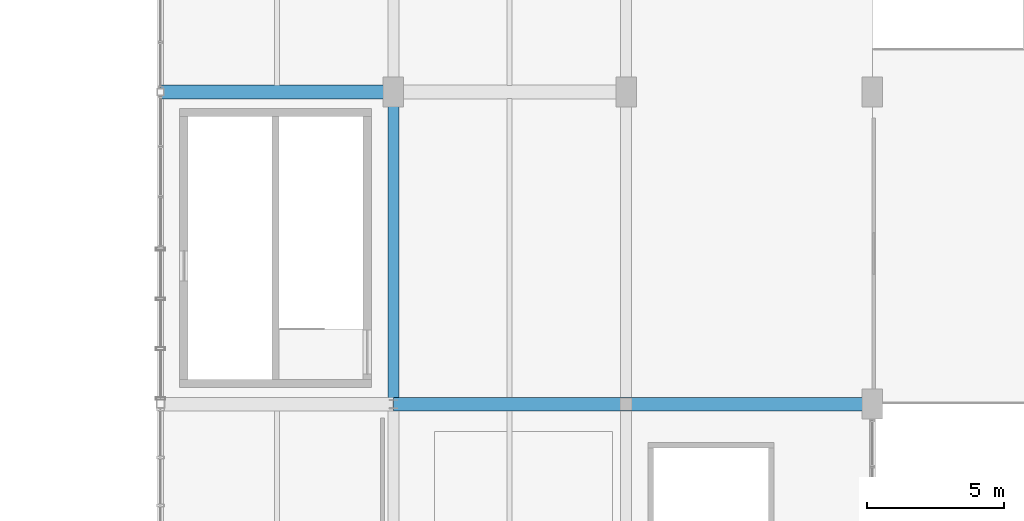
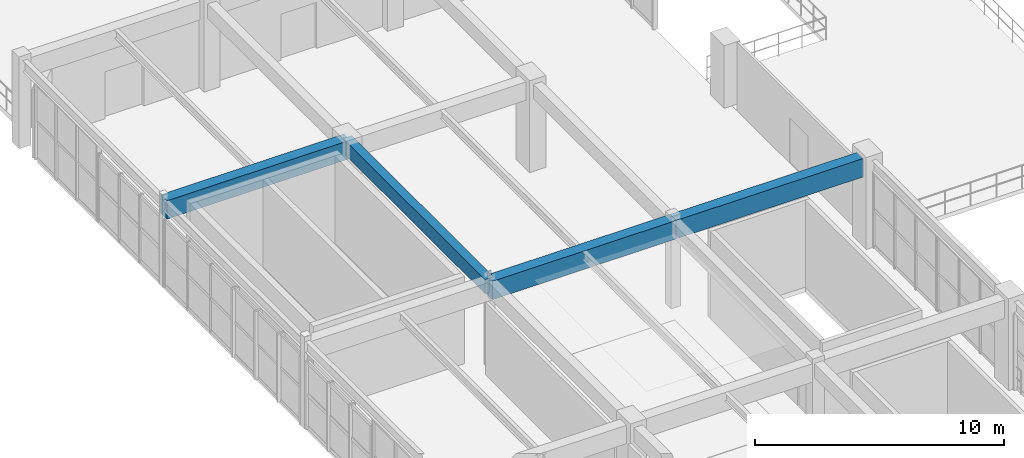
# One storey, part 28 of 80: 4 beams.
"""IFC4 building model written with IfcOpenShell, lengths in metres."""

import ifcopenshell
import ifcopenshell.guid

model = None  # the IFC model being written
_history = None  # IfcOwnerHistory: only IFC2X3 demands one
_inside = {}  # id of a spatial element -> (the spatial element, [elements in it])
_under = {}  # id of a project, library or spatial element -> (it, [spatial elements below it])
_declared = {}  # id of a project -> (the project, [libraries it declares])
_typed = {}  # id of a type object -> (the type object, [elements of that type])
_made_of = {}  # id of a material, layer set ... -> (it, [elements and type objects made of it])


def new_model(schema):
    """Start an empty IFC model of exactly this schema.

    Asked for "IFC4X3", IfcOpenShell would pick the latest addendum, in which some entities
    have other attributes; the version numbers below select the first issue.
    IFC2X3 requires an IfcOwnerHistory on every rooted entity: one is made here for all.
    """
    global model, _history
    if schema == "IFC4X3":
        model = ifcopenshell.file(schema_version=(4, 3, 0, 0))
    else:
        model = ifcopenshell.file(schema=schema)
    _inside.clear()
    _under.clear()
    _declared.clear()
    _typed.clear()
    _made_of.clear()
    _history = None
    if model.schema == "IFC2X3":
        org = make("IfcOrganization", Name="unknown")
        user = make(
            "IfcPersonAndOrganization",
            ThePerson=make("IfcPerson", FamilyName="unknown"),
            TheOrganization=org,
        )
        app = make(
            "IfcApplication",
            ApplicationDeveloper=org,
            Version="unknown",
            ApplicationFullName="unknown",
            ApplicationIdentifier="unknown",
        )
        _history = make(
            "IfcOwnerHistory",
            OwningUser=user,
            OwningApplication=app,
            ChangeAction="ADDED",
            CreationDate=0,
        )
    return model


def make(cls, **values):
    """One entity of the class cls with the attributes given. An attribute that is None is left unset."""
    return model.create_entity(
        cls, **{name: value for name, value in values.items() if value is not None}
    )


def rooted(cls, **values):
    """An entity with a GlobalId (a new one), such as an element, a storey or a relation."""
    return make(cls, GlobalId=ifcopenshell.guid.new(), OwnerHistory=_history, **values)


def si_unit(unit_type, name, prefix=None):
    """IfcSIUnit, for example si_unit("LENGTHUNIT", "METRE", prefix="MILLI")."""
    return make("IfcSIUnit", UnitType=unit_type, Prefix=prefix, Name=name)


def assignment(units):
    """IfcUnitAssignment: the units of a project."""
    return None if units is None else make("IfcUnitAssignment", Units=units)


def point(xyz):
    """IfcCartesianPoint."""
    return None if xyz is None else make("IfcCartesianPoint", Coordinates=xyz)


def direction(xyz):
    """IfcDirection."""
    return None if xyz is None else make("IfcDirection", DirectionRatios=xyz)


def frame(location, z_axis=None, x_axis=None):
    """IfcAxis2Placement3D, a coordinate frame: its origin and axes. An axis left out is left unset."""
    return make(
        "IfcAxis2Placement3D",
        Location=point(location),
        Axis=direction(z_axis),
        RefDirection=direction(x_axis),
    )


def frame_2d(location, x_axis=None):
    """IfcAxis2Placement2D, a coordinate frame in the plane: its origin and x axis."""
    return make(
        "IfcAxis2Placement2D", Location=point(location), RefDirection=direction(x_axis)
    )


def origin():
    """The frame at (0, 0, 0) with its axes left unset."""
    return frame((0.0, 0.0, 0.0))


def origin_2d():
    """The frame at (0, 0) in the plane with its x axis left unset."""
    return frame_2d((0.0, 0.0))


def place(relative_to, where):
    """IfcLocalPlacement: puts the frame where relative to a parent placement (None: the world)."""
    return make(
        "IfcLocalPlacement", PlacementRelTo=relative_to, RelativePlacement=where
    )


def context(
    kind, dimensions, precision=None, world=None, true_north=None, identifier=None
):
    """IfcGeometricRepresentationContext, for example the 3D "Model" context."""
    return make(
        "IfcGeometricRepresentationContext",
        ContextIdentifier=identifier,
        ContextType=kind,
        CoordinateSpaceDimension=dimensions,
        Precision=precision,
        WorldCoordinateSystem=world,
        TrueNorth=true_north,
    )


def subcontext(parent, identifier, kind, view, scale=None):
    """IfcGeometricRepresentationSubContext, for example "Body" below "Model"."""
    return make(
        "IfcGeometricRepresentationSubContext",
        ContextIdentifier=identifier,
        ContextType=kind,
        ParentContext=parent,
        TargetScale=scale,
        TargetView=view,
    )


def project(units=None, contexts=None):
    """IfcProject with its units and contexts."""
    return rooted(
        "IfcProject",
        Name="project",
        RepresentationContexts=contexts,
        UnitsInContext=assignment(units),
    )


def spatial(cls, under=None, at=None, **own):
    """A site, building, storey or space (cls), placed at a placement, below another one or the project."""
    s = rooted(cls, ObjectPlacement=at, **own)
    if under is not None:
        _under.setdefault(under.id(), (under, []))[1].append(s)
    return s


def profile(cls, at=None, kind="AREA", **sizes):
    """A parametric profile (cls). Its sizes go by their IFC names, for example OverallWidth=200.0."""
    return make(cls, ProfileType=kind, Position=at, **sizes)


def rectangle(**sizes):
    """IfcRectangleProfileDef."""
    return profile("IfcRectangleProfileDef", **sizes)


def extrude(swept, where, along, depth):
    """IfcExtrudedAreaSolid: the profile swept, set in the frame where, extruded along a direction by depth."""
    return make(
        "IfcExtrudedAreaSolid",
        SweptArea=swept,
        Position=where,
        ExtrudedDirection=direction(along),
        Depth=depth,
    )


def shape(context_of_items, identifier, shape_type, items):
    """IfcShapeRepresentation: the items that make up one representation, for example the "Body"."""
    return make(
        "IfcShapeRepresentation",
        ContextOfItems=context_of_items,
        RepresentationIdentifier=identifier,
        RepresentationType=shape_type,
        Items=items,
    )


def material(Name=None, Category=None):
    """IfcMaterial."""
    return make("IfcMaterial", Name=Name, Category=Category)


def material_profile(
    of_material, cross_section, Name=None, Category=None, Priority=None
):
    """IfcMaterialProfile: a cross section and its material."""
    return make(
        "IfcMaterialProfile",
        Name=Name,
        Material=of_material,
        Profile=cross_section,
        Priority=Priority,
        Category=Category,
    )


def profile_set(profiles, Name=None, composite=None):
    """IfcMaterialProfileSet."""
    return make(
        "IfcMaterialProfileSet",
        Name=Name,
        MaterialProfiles=profiles,
        CompositeProfile=composite,
    )


def made_of(thing, what):
    """Note that an element or type object is made of a material, layer set ...; save() writes the relation."""
    if what is not None:
        _made_of.setdefault(what.id(), (what, []))[1].append(thing)
    return thing


def type_object(cls, material=None, **own):
    """A type object (cls), such as IfcWallType, which elements share."""
    return made_of(rooted(cls, **own), material)


def element(
    cls,
    number,
    at=None,
    inside=None,
    cuts=None,
    type_object=None,
    material=None,
    context=None,
    identifier="Body",
    shape_type=None,
    held_by="IfcProductDefinitionShape",
    body=None,
    shapes=None,
    **own,
):
    """One element of the class cls, such as IfcWall. Its Tag is "e" and its number.

    at: its placement. inside: the storey or other place that contains it. cuts: it is an
    opening in that element (IfcRelVoidsElement). A single representation is given by context,
    identifier, shape_type and body (its items); several are given by shapes. held_by: the class
    of the entity that holds the representations. save() writes the other relations.
    """
    e = rooted(cls, Tag="e%d" % number, ObjectPlacement=at, **own)
    if body is not None:
        shapes = [shape(context, identifier, shape_type, body)]
    if shapes is not None:
        e.Representation = make(held_by, Representations=shapes)
    if inside is not None:
        _inside.setdefault(inside.id(), (inside, []))[1].append(e)
    if cuts is not None:
        rooted(
            "IfcRelVoidsElement", RelatingBuildingElement=cuts, RelatedOpeningElement=e
        )
    if type_object is not None:
        _typed.setdefault(type_object.id(), (type_object, []))[1].append(e)
    return made_of(e, material)


def aggregate(whole, parts):
    """IfcRelAggregates: a whole, such as a stair, and the parts it consists of."""
    return rooted("IfcRelAggregates", RelatingObject=whole, RelatedObjects=parts)


def save(model, path):
    """Write the relations noted so far, then the file.

    IfcRelAggregates (storeys below a building ...), IfcRelContainedInSpatialStructure (elements
    in a storey), IfcRelDefinesByType, IfcRelAssociatesMaterial and IfcRelDeclares: one each for
    every whole, place, type object, material and project.
    """
    for whole, parts in _under.values():
        aggregate(whole, parts)
    for where, things in _inside.values():
        rooted(
            "IfcRelContainedInSpatialStructure",
            RelatedElements=things,
            RelatingStructure=where,
        )
    for kind, things in _typed.values():
        rooted("IfcRelDefinesByType", RelatedObjects=things, RelatingType=kind)
    for what, things in _made_of.values():
        rooted("IfcRelAssociatesMaterial", RelatedObjects=things, RelatingMaterial=what)
    for by, libraries in _declared.values():
        rooted("IfcRelDeclares", RelatingContext=by, RelatedDefinitions=libraries)
    model.write(path)


model = new_model("IFC4")

# Units and contexts
model_context = context("Model", 3, precision=1e-05, world=origin(), true_north=direction((0.0, 1.0)))
body_context = subcontext(model_context, "Body", "Model", "MODEL_VIEW")
ifc_project = project(units=[si_unit("LENGTHUNIT", "METRE"), si_unit("AREAUNIT", "SQUARE_METRE"), si_unit("VOLUMEUNIT", "CUBIC_METRE"), si_unit("PLANEANGLEUNIT", "RADIAN"), si_unit("MASSUNIT", "GRAM", prefix="KILO"), si_unit("POWERUNIT", "WATT"), si_unit("THERMODYNAMICTEMPERATUREUNIT", "KELVIN")], contexts=[model_context])

# Site, building, storey
site_placement = place(None, origin())
site = spatial("IfcSite", under=ifc_project, at=site_placement, CompositionType="ELEMENT")
building_placement = place(site_placement, origin())
building = spatial("IfcBuilding", under=site, at=building_placement, Name="Kelmbourne Parkland Aquatics Centre", CompositionType="ELEMENT")
storey_placement = place(building_placement, frame((0.0, 0.0, 10.199951171875)))
storey = spatial("IfcBuildingStorey", under=building, at=storey_placement, Name="L02", CompositionType="ELEMENT", Elevation=10.199951171875)

# Beams
ifc_material = material(Name="Concrete C40/50", Category="concrete")
ifc_material_profile_1 = material_profile(ifc_material, rectangle(XDim=0.5, YDim=0.89990234375, at=origin_2d()), Name="RC 500x900")
ifc_profile_set_1 = profile_set([ifc_material_profile_1], Name="Concrete C40/50")
beam_type_1 = type_object("IfcBeamType", Name="BM-G03", PredefinedType="BEAM", material=ifc_profile_set_1)
beam_1_placement = place(storey_placement, frame((110.5, 35.0, 3.81005859375), z_axis=(1.0, 0.0, 0.0), x_axis=(0.0, 1.0, 0.0)))
element("IfcBeam", 1, at=beam_1_placement, inside=storey, type_object=beam_type_1, Name="Primary girder N-O Grid 05 (L03)", PredefinedType="BEAM", context=body_context, shape_type="SweptSolid", body=[
    extrude(rectangle(XDim=0.5, YDim=0.89990234375, at=origin_2d()), origin(), (0.0, 0.0, 1.0), 8.5),
])
beam_2_placement = place(storey_placement, frame((119.0, 35.0, 3.81005859375), z_axis=(1.0, 0.0, 0.0), x_axis=(0.0, 1.0, 0.0)))
element("IfcBeam", 2, at=beam_2_placement, inside=storey, type_object=beam_type_1, Name="Primary girder O-P Grid 05 (L03)", PredefinedType="BEAM", context=body_context, shape_type="SweptSolid", body=[
    extrude(rectangle(XDim=0.5, YDim=0.89990234375, at=origin_2d()), origin(), (0.0, 0.0, 1.0), 8.669921875),
])
beam_3_placement = place(storey_placement, frame((102.0, 46.39990234375, 3.81005859375), z_axis=(1.0, 0.0, 0.0), x_axis=(0.0, 1.0, 0.0)))
element("IfcBeam", 3, at=beam_3_placement, inside=storey, type_object=beam_type_1, Name="Primary girder M-N Grid 06 (L03)", PredefinedType="BEAM", context=body_context, shape_type="SweptSolid", body=[
    extrude(rectangle(XDim=0.5, YDim=0.89990234375, at=origin_2d()), origin(), (0.0, 0.0, 1.0), 8.5),
])
ifc_material_profile_2 = material_profile(ifc_material, rectangle(XDim=0.39990234375, YDim=0.699951171875, at=origin_2d()), Name="RC 400x700")
ifc_profile_set_2 = profile_set([ifc_material_profile_2], Name="Concrete C40/50")
beam_type_2 = type_object("IfcBeamType", Name="BM-G05", PredefinedType="BEAM", material=ifc_profile_set_2)
beam_4_placement = place(storey_placement, frame((110.5, 35.0, 3.91015625), z_axis=(0.0, 1.0, 0.0), x_axis=(-1.0, 0.0, 0.0)))
element("IfcBeam", 4, at=beam_4_placement, inside=storey, type_object=beam_type_2, Name="Primary girder 05-06 Grid N (L03)", PredefinedType="BEAM", context=body_context, shape_type="SweptSolid", body=[
    extrude(rectangle(XDim=0.39990234375, YDim=0.699951171875, at=origin_2d()), origin(), (0.0, 0.0, 1.0), 11.39990234375),
])

save(model, "model.ifc")
